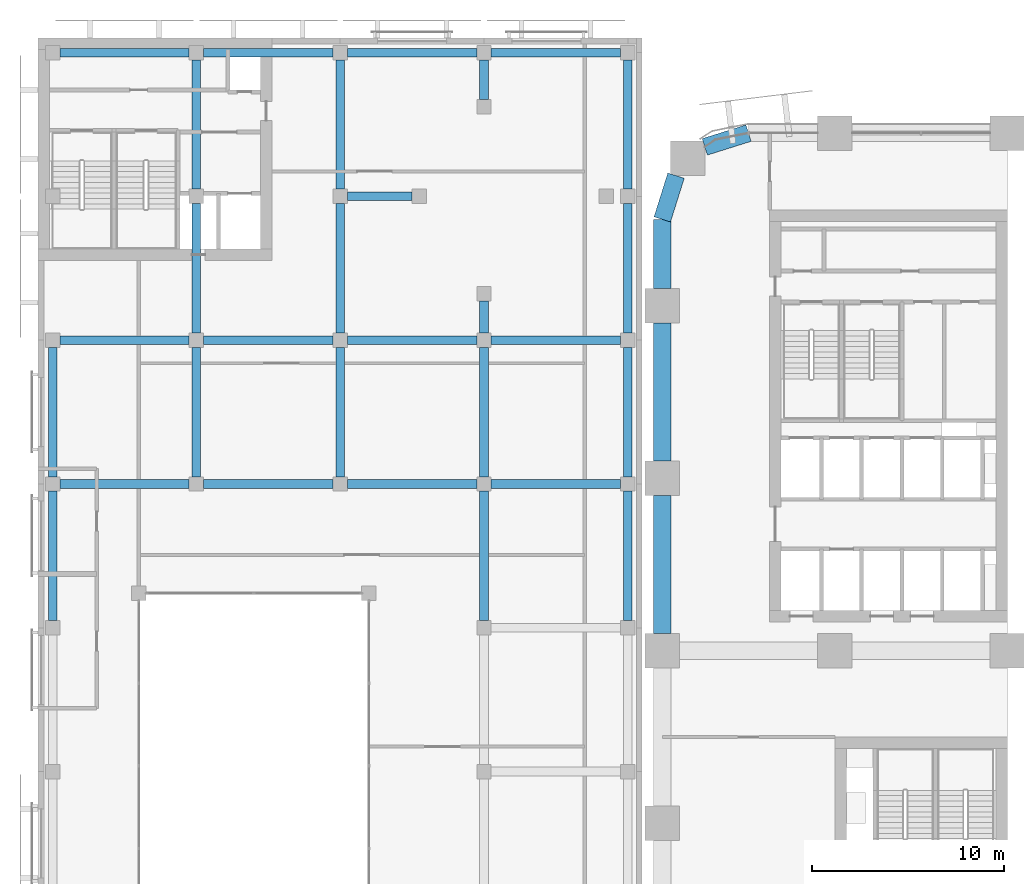
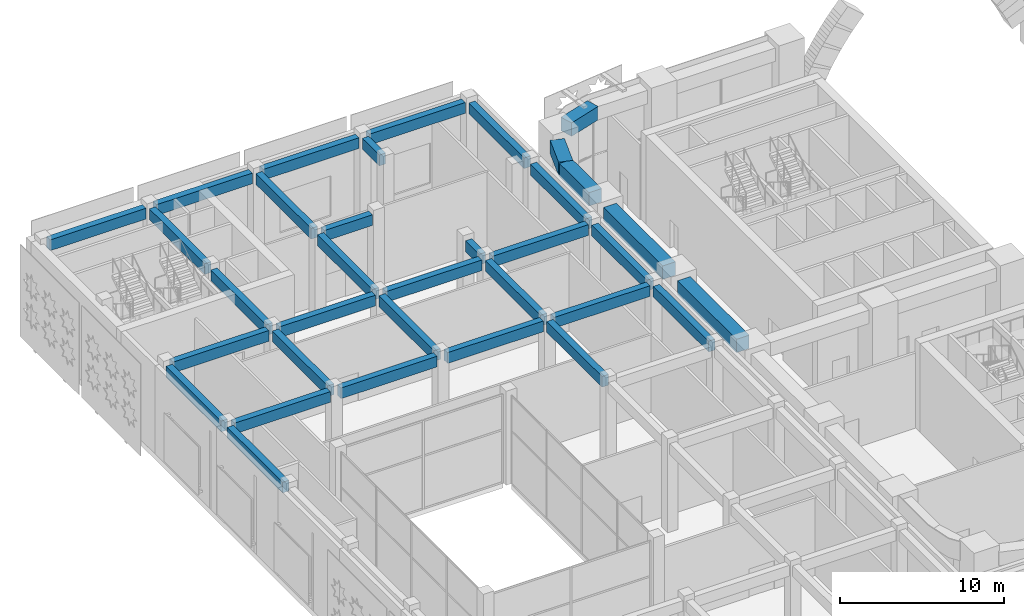
# One storey, part 7 of 42: 34 beams.
"""IFC4 building model written with IfcOpenShell, lengths in metres."""

from ifc_helpers import new_model, si_unit, direction, frame, origin, origin_2d, place, context, subcontext, project, spatial, rectangle, extrude, material, material_profile, profile_set, type_object, element, save


model = new_model("IFC4")

# Units and contexts
model_context = context("Model", 3, precision=1e-05, world=origin(), true_north=direction((0.0, 1.0)))
body_context = subcontext(model_context, "Body", "Model", "MODEL_VIEW")
ifc_project = project(units=[si_unit("LENGTHUNIT", "METRE"), si_unit("AREAUNIT", "SQUARE_METRE"), si_unit("VOLUMEUNIT", "CUBIC_METRE"), si_unit("PLANEANGLEUNIT", "RADIAN"), si_unit("MASSUNIT", "GRAM", prefix="KILO")], contexts=[model_context])

# Site, building, storey
site_placement = place(None, origin())
site = spatial("IfcSite", under=ifc_project, at=site_placement, CompositionType="ELEMENT")
building_placement = place(site_placement, origin())
building = spatial("IfcBuilding", under=site, at=building_placement, Name="Tessera Arch", CompositionType="ELEMENT")
storey_placement = place(building_placement, frame((0.0, 0.0, 14.0)))
storey = spatial("IfcBuildingStorey", under=building, at=storey_placement, Name="L02", CompositionType="ELEMENT", Elevation=14.0)

# Beams
ifc_material_1 = material(Name="Concrete C40/50", Category="concrete")
ifc_material_profile_1 = material_profile(ifc_material_1, rectangle(XDim=0.449951171875, YDim=0.800048828125, at=origin_2d()), Name="Museum beam 450 x 800 Concrete C40/50")
ifc_profile_set_1 = profile_set([ifc_material_profile_1], Name="Concrete C40/50")
beam_type_1 = type_object("IfcBeamType", Name="Museum beam 450 x 800 Concrete C40/50", PredefinedType="BEAM", material=ifc_profile_set_1)
for number, where, z_axis, x_axis, name in (
    (1, (-31.800048828125, 28.574951171875, 6.18994140625), (0.0, 1.0, 0.0), (-1.0, 0.0, 0.0), "Museum beam L02 8"),
    (2, (-31.800048828125, 36.074951171875, 6.18994140625), (0.0, 1.0, 0.0), (-1.0, 0.0, 0.0), "Museum beam L02 9"),
    (3, (-24.300048828125, 36.074951171875, 6.18994140625), (0.0, 1.0, 0.0), (-1.0, 0.0, 0.0), "Museum beam L02 13"),
    (4, (-24.300048828125, 43.574951171875, 6.18994140625), (0.0, 1.0, 0.0), (-1.0, 0.0, 0.0), "Museum beam L02 14"),
    (5, (-24.300048828125, 51.074951171875, 6.18994140625), (0.0, 1.0, 0.0), (-1.0, 0.0, 0.0), "Museum beam L02 15"),
    (6, (-16.800048828125, 36.074951171875, 6.18994140625), (0.0, 1.0, 0.0), (-1.0, 0.0, 0.0), "Museum beam L02 18"),
    (7, (-16.800048828125, 43.574951171875, 6.18994140625), (0.0, 1.0, 0.0), (-1.0, 0.0, 0.0), "Museum beam L02 19"),
    (8, (-16.800048828125, 51.074951171875, 6.18994140625), (0.0, 1.0, 0.0), (-1.0, 0.0, 0.0), "Museum beam L02 20"),
    (9, (-9.300048828125, 28.574951171875, 6.18994140625), (0.0, 1.0, 0.0), (-1.0, 0.0, 0.0), "Museum beam L02 30"),
    (10, (-9.300048828125, 36.074951171875, 6.18994140625), (0.0, 1.0, 0.0), (-1.0, 0.0, 0.0), "Museum beam L02 31"),
):
    element("IfcBeam", number, at=place(storey_placement, frame(where, z_axis=z_axis, x_axis=x_axis)), inside=storey, type_object=beam_type_1, Name=name, PredefinedType="BEAM", context=body_context, shape_type="SweptSolid", body=[
        extrude(rectangle(XDim=0.449951171875, YDim=0.800048828125, at=origin_2d()), origin(), (0.0, 0.0, 1.0), 6.75),
    ])
beam_1_placement = place(storey_placement, frame((-9.300048828125, 43.574951171875, 6.18994140625), z_axis=(0.0, 1.0, 0.0), x_axis=(-1.0, 0.0, 0.0)))
element("IfcBeam", 11, at=beam_1_placement, inside=storey, type_object=beam_type_1, Name="Museum beam L02 32", PredefinedType="BEAM", context=body_context, shape_type="SweptSolid", body=[
    extrude(rectangle(XDim=0.449951171875, YDim=0.800048828125, at=origin_2d()), origin(), (0.0, 0.0, 1.0), 1.675048828125),
])
beam_2_placement = place(storey_placement, frame((-9.300048828125, 55.75, 6.18994140625), z_axis=(0.0, 1.0, 0.0), x_axis=(-1.0, 0.0, 0.0)))
element("IfcBeam", 12, at=beam_2_placement, inside=storey, type_object=beam_type_1, Name="Museum beam L02 33", PredefinedType="BEAM", context=body_context, shape_type="SweptSolid", body=[
    extrude(rectangle(XDim=0.449951171875, YDim=0.800048828125, at=origin_2d()), origin(), (0.0, 0.0, 1.0), 2.074951171875),
])
for number, where, z_axis, x_axis, name in (
    (13, (-1.800048828125, 28.574951171875, 6.18994140625), (0.0, 1.0, 0.0), (-1.0, 0.0, 0.0), "Museum beam L02 42"),
    (14, (-1.800048828125, 36.074951171875, 6.18994140625), (0.0, 1.0, 0.0), (-1.0, 0.0, 0.0), "Museum beam L02 43"),
    (15, (-1.800048828125, 43.574951171875, 6.18994140625), (0.0, 1.0, 0.0), (-1.0, 0.0, 0.0), "Museum beam L02 44"),
    (16, (-1.800048828125, 51.074951171875, 6.18994140625), (0.0, 1.0, 0.0), (-1.0, 0.0, 0.0), "Museum beam L02 45"),
    (17, (-31.425048828125, 35.699951171875, 6.18994140625), (1.0, 0.0, 0.0), (0.0, 1.0, 0.0), "Museum beam L02 76"),
    (18, (-23.925048828125, 35.699951171875, 6.18994140625), (1.0, 0.0, 0.0), (0.0, 1.0, 0.0), "Museum beam L02 77"),
    (19, (-16.425048828125, 35.699951171875, 6.18994140625), (1.0, 0.0, 0.0), (0.0, 1.0, 0.0), "Museum beam L02 78"),
    (20, (-8.925048828125, 35.699951171875, 6.18994140625), (1.0, 0.0, 0.0), (0.0, 1.0, 0.0), "Museum beam L02 79"),
    (21, (-31.425048828125, 43.199951171875, 6.18994140625), (1.0, 0.0, 0.0), (0.0, 1.0, 0.0), "Museum beam L02 80"),
    (22, (-23.925048828125, 43.199951171875, 6.18994140625), (1.0, 0.0, 0.0), (0.0, 1.0, 0.0), "Museum beam L02 81"),
    (23, (-16.425048828125, 43.199951171875, 6.18994140625), (1.0, 0.0, 0.0), (0.0, 1.0, 0.0), "Museum beam L02 82"),
    (24, (-8.925048828125, 43.199951171875, 6.18994140625), (1.0, 0.0, 0.0), (0.0, 1.0, 0.0), "Museum beam L02 83"),
):
    element("IfcBeam", number, at=place(storey_placement, frame(where, z_axis=z_axis, x_axis=x_axis)), inside=storey, type_object=beam_type_1, Name=name, PredefinedType="BEAM", context=body_context, shape_type="SweptSolid", body=[
        extrude(rectangle(XDim=0.449951171875, YDim=0.800048828125, at=origin_2d()), origin(), (0.0, 0.0, 1.0), 6.75),
    ])
beam_3_placement = place(storey_placement, frame((-16.425048828125, 50.699951171875, 6.18994140625), z_axis=(1.0, 0.0, 0.0), x_axis=(0.0, 1.0, 0.0)))
element("IfcBeam", 25, at=beam_3_placement, inside=storey, type_object=beam_type_1, Name="Museum beam L02 84", PredefinedType="BEAM", context=body_context, shape_type="SweptSolid", body=[
    extrude(rectangle(XDim=0.449951171875, YDim=0.800048828125, at=origin_2d()), origin(), (0.0, 0.0, 1.0), 3.375),
])
for number, where, z_axis, x_axis, name in (
    (26, (-31.425048828125, 58.199951171875, 6.18994140625), (1.0, 0.0, 0.0), (0.0, 1.0, 0.0), "Museum beam L02 85"),
    (27, (-23.925048828125, 58.199951171875, 6.18994140625), (1.0, 0.0, 0.0), (0.0, 1.0, 0.0), "Museum beam L02 86"),
    (28, (-16.425048828125, 58.199951171875, 6.18994140625), (1.0, 0.0, 0.0), (0.0, 1.0, 0.0), "Museum beam L02 87"),
    (29, (-8.925048828125, 58.199951171875, 6.18994140625), (1.0, 0.0, 0.0), (0.0, 1.0, 0.0), "Museum beam L02 88"),
):
    element("IfcBeam", number, at=place(storey_placement, frame(where, z_axis=z_axis, x_axis=x_axis)), inside=storey, type_object=beam_type_1, Name=name, PredefinedType="BEAM", context=body_context, shape_type="SweptSolid", body=[
        extrude(rectangle(XDim=0.449951171875, YDim=0.800048828125, at=origin_2d()), origin(), (0.0, 0.0, 1.0), 6.75),
    ])
ifc_material_2 = material(Name="Concrete C80/95", Category="concrete")
ifc_material_profile_2 = material_profile(ifc_material_2, rectangle(XDim=0.89990234375, YDim=1.0, at=origin_2d()), Name="RC spandrel beam 900 x 1000 Concrete C80/95")
ifc_profile_set_2 = profile_set([ifc_material_profile_2], Name="Concrete C80/95")
beam_type_2 = type_object("IfcBeamType", Name="RC spandrel beam 900 x 1000 Concrete C80/95", PredefinedType="BEAM", material=ifc_profile_set_2)
for number, where, z_axis, x_axis, name in (
    (30, (4.5, 54.0, 6.090087890625), (-0.954041251279, -0.299675309057, 0.0), (0.299675309057, -0.954041251279, 0.0), "Spandrel beam L02 N54.0/1.2"),
    (31, (0.716796875, 51.781982421875, 6.090087890625), (-0.299675309057, -0.954041251279, 0.0), (0.954041251279, -0.299675309057, 0.0), "Spandrel beam L02 W0.0/0.1"),
):
    element("IfcBeam", number, at=place(storey_placement, frame(where, z_axis=z_axis, x_axis=x_axis)), inside=storey, type_object=beam_type_2, Name=name, PredefinedType="BEAM", context=body_context, shape_type="SweptSolid", body=[
        extrude(rectangle(XDim=0.89990234375, YDim=1.0, at=origin_2d()), origin(), (0.0, 0.0, 1.0), 2.391845703125),
    ])
beam_4_placement = place(storey_placement, frame((0.0, 49.5, 6.090087890625), z_axis=(0.0, -1.0, 0.0), x_axis=(1.0, 0.0, 0.0)))
element("IfcBeam", 32, at=beam_4_placement, inside=storey, type_object=beam_type_2, Name="Spandrel beam L02 W0.0/0.2", PredefinedType="BEAM", context=body_context, shape_type="SweptSolid", body=[
    extrude(rectangle(XDim=0.89990234375, YDim=1.0, at=origin_2d()), origin(), (0.0, 0.0, 1.0), 3.60009765625),
])
for number, where, z_axis, x_axis, name in (
    (33, (0.0, 44.10009765625, 6.090087890625), (0.0, -1.0, 0.0), (1.0, 0.0, 0.0), "Spandrel beam L02 W0.0/1"),
    (34, (0.0, 35.10009765625, 6.090087890625), (0.0, -1.0, 0.0), (1.0, 0.0, 0.0), "Spandrel beam L02 W0.0/2"),
):
    element("IfcBeam", number, at=place(storey_placement, frame(where, z_axis=z_axis, x_axis=x_axis)), inside=storey, type_object=beam_type_2, Name=name, PredefinedType="BEAM", context=body_context, shape_type="SweptSolid", body=[
        extrude(rectangle(XDim=0.89990234375, YDim=1.0, at=origin_2d()), origin(), (0.0, 0.0, 1.0), 7.2001953125),
    ])

save(model, "model.ifc")
